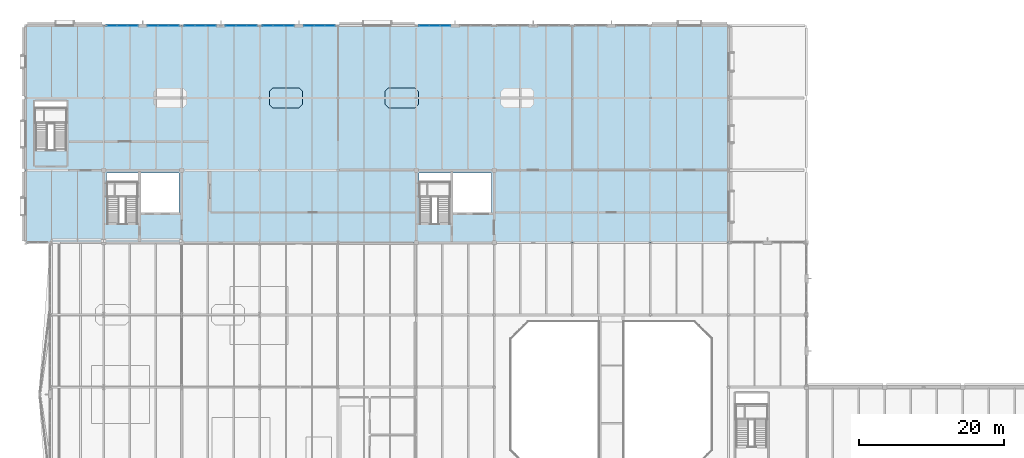
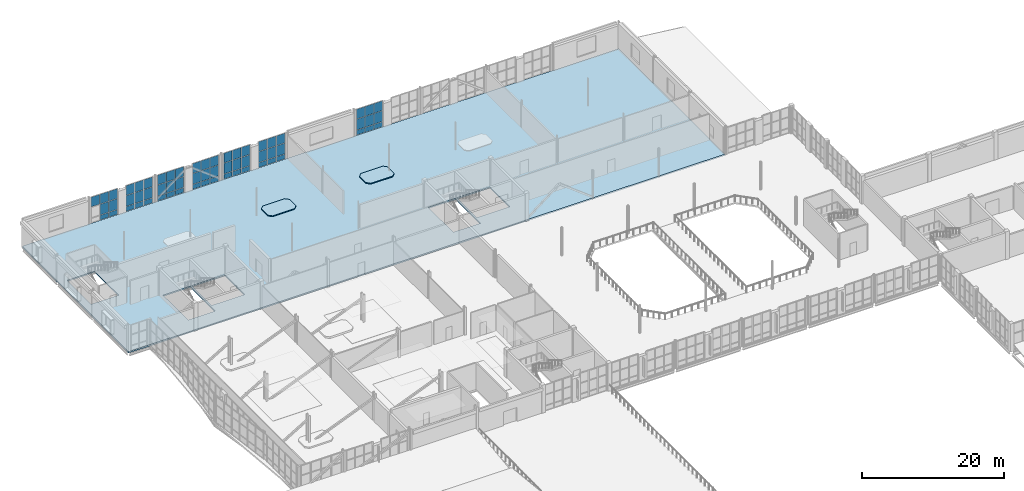
# One storey, part 68 of 100: 61 plates, 3 slabs, 7 elements without a shape of their own.
"""IFC4 building model written with IfcOpenShell, lengths in metres."""

import ifcopenshell
import ifcopenshell.guid

model = None  # the IFC model being written
_history = None  # IfcOwnerHistory: only IFC2X3 demands one
_inside = {}  # id of a spatial element -> (the spatial element, [elements in it])
_under = {}  # id of a project, library or spatial element -> (it, [spatial elements below it])
_declared = {}  # id of a project -> (the project, [libraries it declares])
_typed = {}  # id of a type object -> (the type object, [elements of that type])
_made_of = {}  # id of a material, layer set ... -> (it, [elements and type objects made of it])


def new_model(schema):
    """Start an empty IFC model of exactly this schema.

    Asked for "IFC4X3", IfcOpenShell would pick the latest addendum, in which some entities
    have other attributes; the version numbers below select the first issue.
    IFC2X3 requires an IfcOwnerHistory on every rooted entity: one is made here for all.
    """
    global model, _history
    if schema == "IFC4X3":
        model = ifcopenshell.file(schema_version=(4, 3, 0, 0))
    else:
        model = ifcopenshell.file(schema=schema)
    _inside.clear()
    _under.clear()
    _declared.clear()
    _typed.clear()
    _made_of.clear()
    _history = None
    if model.schema == "IFC2X3":
        org = make("IfcOrganization", Name="unknown")
        user = make(
            "IfcPersonAndOrganization",
            ThePerson=make("IfcPerson", FamilyName="unknown"),
            TheOrganization=org,
        )
        app = make(
            "IfcApplication",
            ApplicationDeveloper=org,
            Version="unknown",
            ApplicationFullName="unknown",
            ApplicationIdentifier="unknown",
        )
        _history = make(
            "IfcOwnerHistory",
            OwningUser=user,
            OwningApplication=app,
            ChangeAction="ADDED",
            CreationDate=0,
        )
    return model


def make(cls, **values):
    """One entity of the class cls with the attributes given. An attribute that is None is left unset."""
    return model.create_entity(
        cls, **{name: value for name, value in values.items() if value is not None}
    )


def rooted(cls, **values):
    """An entity with a GlobalId (a new one), such as an element, a storey or a relation."""
    return make(cls, GlobalId=ifcopenshell.guid.new(), OwnerHistory=_history, **values)


def si_unit(unit_type, name, prefix=None):
    """IfcSIUnit, for example si_unit("LENGTHUNIT", "METRE", prefix="MILLI")."""
    return make("IfcSIUnit", UnitType=unit_type, Prefix=prefix, Name=name)


def assignment(units):
    """IfcUnitAssignment: the units of a project."""
    return None if units is None else make("IfcUnitAssignment", Units=units)


def point(xyz):
    """IfcCartesianPoint."""
    return None if xyz is None else make("IfcCartesianPoint", Coordinates=xyz)


def direction(xyz):
    """IfcDirection."""
    return None if xyz is None else make("IfcDirection", DirectionRatios=xyz)


def frame(location, z_axis=None, x_axis=None):
    """IfcAxis2Placement3D, a coordinate frame: its origin and axes. An axis left out is left unset."""
    return make(
        "IfcAxis2Placement3D",
        Location=point(location),
        Axis=direction(z_axis),
        RefDirection=direction(x_axis),
    )


def frame_2d(location, x_axis=None):
    """IfcAxis2Placement2D, a coordinate frame in the plane: its origin and x axis."""
    return make(
        "IfcAxis2Placement2D", Location=point(location), RefDirection=direction(x_axis)
    )


def origin():
    """The frame at (0, 0, 0) with its axes left unset."""
    return frame((0.0, 0.0, 0.0))


def origin_2d():
    """The frame at (0, 0) in the plane with its x axis left unset."""
    return frame_2d((0.0, 0.0))


def place(relative_to, where):
    """IfcLocalPlacement: puts the frame where relative to a parent placement (None: the world)."""
    return make(
        "IfcLocalPlacement", PlacementRelTo=relative_to, RelativePlacement=where
    )


def context(
    kind, dimensions, precision=None, world=None, true_north=None, identifier=None
):
    """IfcGeometricRepresentationContext, for example the 3D "Model" context."""
    return make(
        "IfcGeometricRepresentationContext",
        ContextIdentifier=identifier,
        ContextType=kind,
        CoordinateSpaceDimension=dimensions,
        Precision=precision,
        WorldCoordinateSystem=world,
        TrueNorth=true_north,
    )


def subcontext(parent, identifier, kind, view, scale=None):
    """IfcGeometricRepresentationSubContext, for example "Body" below "Model"."""
    return make(
        "IfcGeometricRepresentationSubContext",
        ContextIdentifier=identifier,
        ContextType=kind,
        ParentContext=parent,
        TargetScale=scale,
        TargetView=view,
    )


def project(units=None, contexts=None):
    """IfcProject with its units and contexts."""
    return rooted(
        "IfcProject",
        Name="project",
        RepresentationContexts=contexts,
        UnitsInContext=assignment(units),
    )


def spatial(cls, under=None, at=None, **own):
    """A site, building, storey or space (cls), placed at a placement, below another one or the project."""
    s = rooted(cls, ObjectPlacement=at, **own)
    if under is not None:
        _under.setdefault(under.id(), (under, []))[1].append(s)
    return s


def polyline(points):
    """IfcPolyline through the points."""
    return make("IfcPolyline", Points=[point(p) for p in points])


def profile(cls, at=None, kind="AREA", **sizes):
    """A parametric profile (cls). Its sizes go by their IFC names, for example OverallWidth=200.0."""
    return make(cls, ProfileType=kind, Position=at, **sizes)


def rectangle(**sizes):
    """IfcRectangleProfileDef."""
    return profile("IfcRectangleProfileDef", **sizes)


def outline(outer, holes=None, kind="AREA"):
    """IfcArbitraryClosedProfileDef: a profile drawn as a closed curve; with holes, ...WithVoids."""
    if holes is None:
        return make("IfcArbitraryClosedProfileDef", ProfileType=kind, OuterCurve=outer)
    return make(
        "IfcArbitraryProfileDefWithVoids",
        ProfileType=kind,
        OuterCurve=outer,
        InnerCurves=holes,
    )


def extrude(swept, where, along, depth):
    """IfcExtrudedAreaSolid: the profile swept, set in the frame where, extruded along a direction by depth."""
    return make(
        "IfcExtrudedAreaSolid",
        SweptArea=swept,
        Position=where,
        ExtrudedDirection=direction(along),
        Depth=depth,
    )


def shape(context_of_items, identifier, shape_type, items):
    """IfcShapeRepresentation: the items that make up one representation, for example the "Body"."""
    return make(
        "IfcShapeRepresentation",
        ContextOfItems=context_of_items,
        RepresentationIdentifier=identifier,
        RepresentationType=shape_type,
        Items=items,
    )


def material(Name=None, Category=None):
    """IfcMaterial."""
    return make("IfcMaterial", Name=Name, Category=Category)


def layer(
    of_material, thickness, ventilated=None, Name=None, Category=None, Priority=None
):
    """IfcMaterialLayer: one layer of a wall or slab, of a material (None: an air gap)."""
    return make(
        "IfcMaterialLayer",
        Material=of_material,
        LayerThickness=thickness,
        IsVentilated=ventilated,
        Name=Name,
        Category=Category,
        Priority=Priority,
    )


def layer_set(layers, Name=None):
    """IfcMaterialLayerSet."""
    return make("IfcMaterialLayerSet", MaterialLayers=layers, LayerSetName=Name)


def made_of(thing, what):
    """Note that an element or type object is made of a material, layer set ...; save() writes the relation."""
    if what is not None:
        _made_of.setdefault(what.id(), (what, []))[1].append(thing)
    return thing


def type_object(cls, material=None, **own):
    """A type object (cls), such as IfcWallType, which elements share."""
    return made_of(rooted(cls, **own), material)


def element(
    cls,
    number,
    at=None,
    inside=None,
    cuts=None,
    type_object=None,
    material=None,
    context=None,
    identifier="Body",
    shape_type=None,
    held_by="IfcProductDefinitionShape",
    body=None,
    shapes=None,
    **own,
):
    """One element of the class cls, such as IfcWall. Its Tag is "e" and its number.

    at: its placement. inside: the storey or other place that contains it. cuts: it is an
    opening in that element (IfcRelVoidsElement). A single representation is given by context,
    identifier, shape_type and body (its items); several are given by shapes. held_by: the class
    of the entity that holds the representations. save() writes the other relations.
    """
    e = rooted(cls, Tag="e%d" % number, ObjectPlacement=at, **own)
    if body is not None:
        shapes = [shape(context, identifier, shape_type, body)]
    if shapes is not None:
        e.Representation = make(held_by, Representations=shapes)
    if inside is not None:
        _inside.setdefault(inside.id(), (inside, []))[1].append(e)
    if cuts is not None:
        rooted(
            "IfcRelVoidsElement", RelatingBuildingElement=cuts, RelatedOpeningElement=e
        )
    if type_object is not None:
        _typed.setdefault(type_object.id(), (type_object, []))[1].append(e)
    return made_of(e, material)


def aggregate(whole, parts):
    """IfcRelAggregates: a whole, such as a stair, and the parts it consists of."""
    return rooted("IfcRelAggregates", RelatingObject=whole, RelatedObjects=parts)


def save(model, path):
    """Write the relations noted so far, then the file.

    IfcRelAggregates (storeys below a building ...), IfcRelContainedInSpatialStructure (elements
    in a storey), IfcRelDefinesByType, IfcRelAssociatesMaterial and IfcRelDeclares: one each for
    every whole, place, type object, material and project.
    """
    for whole, parts in _under.values():
        aggregate(whole, parts)
    for where, things in _inside.values():
        rooted(
            "IfcRelContainedInSpatialStructure",
            RelatedElements=things,
            RelatingStructure=where,
        )
    for kind, things in _typed.values():
        rooted("IfcRelDefinesByType", RelatedObjects=things, RelatingType=kind)
    for what, things in _made_of.values():
        rooted("IfcRelAssociatesMaterial", RelatedObjects=things, RelatingMaterial=what)
    for by, libraries in _declared.values():
        rooted("IfcRelDeclares", RelatingContext=by, RelatedDefinitions=libraries)
    model.write(path)


model = new_model("IFC4")

# Units and contexts
model_context = context("Model", 3, precision=1e-05, world=origin(), true_north=direction((0.0, 1.0)))
body_context = subcontext(model_context, "Body", "Model", "MODEL_VIEW")
ifc_project = project(units=[si_unit("LENGTHUNIT", "METRE"), si_unit("AREAUNIT", "SQUARE_METRE"), si_unit("VOLUMEUNIT", "CUBIC_METRE"), si_unit("PLANEANGLEUNIT", "RADIAN"), si_unit("MASSUNIT", "GRAM", prefix="KILO")], contexts=[model_context])

# Site, building, storey
site_placement = place(None, origin())
site = spatial("IfcSite", under=ifc_project, at=site_placement, CompositionType="ELEMENT")
building_placement = place(site_placement, origin())
building = spatial("IfcBuilding", under=site, at=building_placement, Name="Tasgan Crest Museum", CompositionType="ELEMENT")
storey_placement = place(building_placement, frame((0.0, 0.0, 9.60009765625)))
storey = spatial("IfcBuildingStorey", under=building, at=storey_placement, Name="L02", CompositionType="ELEMENT", Elevation=9.60009765625)

# Curtain wall, plates
ifc_material_1 = material(Name="Triple-Glazed Aluminium Curtain Wall", Category="aluminium")
ifc_layer_1 = layer(ifc_material_1, 0.179931640625, Name="CW-CORE-STRIP-48")
ifc_layer_set_1 = layer_set([ifc_layer_1], Name="Triple-Glazed Aluminium Curtain Wall")
curtain_wall_type_1 = type_object("IfcCurtainWallType", Name="CW-CORE-STRIP-48", PredefinedType="NOTDEFINED", material=ifc_layer_set_1)
curtain_wall_1_placement = place(storey_placement, origin())
curtain_wall_1 = element("IfcCurtainWall", 1, at=curtain_wall_1_placement, inside=storey, type_object=curtain_wall_type_1, Name="Curtain wall L02 086", PredefinedType="NOTDEFINED")
ifc_material_2 = material(Name="Insulated Spandrel Glass", Category="glass")
ifc_layer_2 = layer(ifc_material_2, 0.052001953125, Name="CW-PANEL-SPANDREL")
ifc_layer_set_2 = layer_set([ifc_layer_2], Name="Insulated Spandrel Glass")
plate_type_1 = type_object("IfcPlateType", Name="CW-PANEL-SPANDREL", PredefinedType="CURTAIN_PANEL", material=ifc_layer_set_2)
plate_1_placement = place(storey_placement, frame((58.00830078125, 112.0, 0.059814453125), z_axis=(0.0, 0.0, 1.0), x_axis=(-1.0, 0.0, 0.0)))
plate_1 = element("IfcPlate", 2, at=plate_1_placement, type_object=plate_type_1, Name="CW19 panel 1.1", PredefinedType="CURTAIN_PANEL", context=body_context, shape_type="SweptSolid", body=[
    extrude(rectangle(XDim=1.373291015625, YDim=0.028076171875, at=origin_2d()), origin(), (0.0, 0.0, 1.0), 0.81005859375),
])
plate_2_placement = place(storey_placement, frame((56.56005859375, 112.0, 0.059814453125), z_axis=(0.0, 0.0, 1.0), x_axis=(-1.0, 0.0, 0.0)))
plate_2 = element("IfcPlate", 3, at=plate_2_placement, type_object=plate_type_1, Name="CW19 panel 2.1", PredefinedType="CURTAIN_PANEL", context=body_context, shape_type="SweptSolid", body=[
    extrude(rectangle(XDim=1.4033203125, YDim=0.028076171875, at=origin_2d()), origin(), (0.0, 0.0, 1.0), 0.81005859375),
])
plate_3_placement = place(storey_placement, frame((55.111572265625, 112.0, 0.059814453125), z_axis=(0.0, 0.0, 1.0), x_axis=(-1.0, 0.0, 0.0)))
plate_3 = element("IfcPlate", 4, at=plate_3_placement, type_object=plate_type_1, Name="CW19 panel 3.1", PredefinedType="CURTAIN_PANEL", context=body_context, shape_type="SweptSolid", body=[
    extrude(rectangle(XDim=1.373291015625, YDim=0.028076171875, at=origin_2d()), origin(), (0.0, 0.0, 1.0), 0.81005859375),
])

ifc_material_3 = material(Name="Triple-Glazed Aluminium Curtain Wall", Category="aluminium")
ifc_layer_3 = layer(ifc_material_3, 0.179931640625, Name="CW-GAL-X-48")
ifc_layer_set_3 = layer_set([ifc_layer_3], Name="Triple-Glazed Aluminium Curtain Wall")
curtain_wall_type_2 = type_object("IfcCurtainWallType", Name="CW-GAL-X-48", PredefinedType="NOTDEFINED", material=ifc_layer_set_3)
curtain_wall_2_placement = place(storey_placement, origin())
curtain_wall_2 = element("IfcCurtainWall", 5, at=curtain_wall_2_placement, inside=storey, type_object=curtain_wall_type_2, Name="Curtain wall L02 087", PredefinedType="NOTDEFINED")
plate_4_placement = place(storey_placement, frame((42.08837890625, 112.0, 0.059814453125), z_axis=(0.0, 0.0, 1.0), x_axis=(-1.0, 0.0, 0.0)))
plate_4 = element("IfcPlate", 6, at=plate_4_placement, type_object=plate_type_1, Name="CW13 panel 1.1", PredefinedType="CURTAIN_PANEL", context=body_context, shape_type="SweptSolid", body=[
    extrude(rectangle(XDim=1.373291015625, YDim=0.028076171875, at=origin_2d()), origin(), (0.0, 0.0, 1.0), 0.81005859375),
])
plate_5_placement = place(storey_placement, frame((40.639892578125, 112.0, 0.059814453125), z_axis=(0.0, 0.0, 1.0), x_axis=(-1.0, 0.0, 0.0)))
plate_5 = element("IfcPlate", 7, at=plate_5_placement, type_object=plate_type_1, Name="CW13 panel 2.1", PredefinedType="CURTAIN_PANEL", context=body_context, shape_type="SweptSolid", body=[
    extrude(rectangle(XDim=1.4033203125, YDim=0.028076171875, at=origin_2d()), origin(), (0.0, 0.0, 1.0), 0.81005859375),
])
plate_6_placement = place(storey_placement, frame((39.191650390625, 112.0, 0.059814453125), z_axis=(0.0, 0.0, 1.0), x_axis=(-1.0, 0.0, 0.0)))
plate_6 = element("IfcPlate", 8, at=plate_6_placement, type_object=plate_type_1, Name="CW13 panel 3.1", PredefinedType="CURTAIN_PANEL", context=body_context, shape_type="SweptSolid", body=[
    extrude(rectangle(XDim=1.373291015625, YDim=0.028076171875, at=origin_2d()), origin(), (0.0, 0.0, 1.0), 0.81005859375),
])

curtain_wall_3_placement = place(storey_placement, origin())
curtain_wall_3 = element("IfcCurtainWall", 9, at=curtain_wall_3_placement, inside=storey, type_object=curtain_wall_type_2, Name="Curtain wall L02 088", PredefinedType="NOTDEFINED")
plate_7_placement = place(storey_placement, frame((36.408447265625, 112.0, 0.059814453125), z_axis=(0.0, 0.0, 1.0), x_axis=(-1.0, 0.0, 0.0)))
plate_7 = element("IfcPlate", 10, at=plate_7_placement, type_object=plate_type_1, Name="CW13 panel 1.1", PredefinedType="CURTAIN_PANEL", context=body_context, shape_type="SweptSolid", body=[
    extrude(rectangle(XDim=1.373291015625, YDim=0.028076171875, at=origin_2d()), origin(), (0.0, 0.0, 1.0), 0.81005859375),
])
plate_8_placement = place(storey_placement, frame((34.9599609375, 112.0, 0.059814453125), z_axis=(0.0, 0.0, 1.0), x_axis=(-1.0, 0.0, 0.0)))
plate_8 = element("IfcPlate", 11, at=plate_8_placement, type_object=plate_type_1, Name="CW13 panel 2.1", PredefinedType="CURTAIN_PANEL", context=body_context, shape_type="SweptSolid", body=[
    extrude(rectangle(XDim=1.4033203125, YDim=0.028076171875, at=origin_2d()), origin(), (0.0, 0.0, 1.0), 0.81005859375),
])
plate_9_placement = place(storey_placement, frame((33.51171875, 112.0, 0.059814453125), z_axis=(0.0, 0.0, 1.0), x_axis=(-1.0, 0.0, 0.0)))
plate_9 = element("IfcPlate", 12, at=plate_9_placement, type_object=plate_type_1, Name="CW13 panel 3.1", PredefinedType="CURTAIN_PANEL", context=body_context, shape_type="SweptSolid", body=[
    extrude(rectangle(XDim=1.373291015625, YDim=0.028076171875, at=origin_2d()), origin(), (0.0, 0.0, 1.0), 0.81005859375),
])

curtain_wall_4_placement = place(storey_placement, origin())
curtain_wall_4 = element("IfcCurtainWall", 13, at=curtain_wall_4_placement, inside=storey, type_object=curtain_wall_type_2, Name="Curtain wall L02 089", PredefinedType="NOTDEFINED")
plate_10_placement = place(storey_placement, frame((31.288330078125, 112.0, 0.059814453125), z_axis=(0.0, 0.0, 1.0), x_axis=(-1.0, 0.0, 0.0)))
plate_10 = element("IfcPlate", 14, at=plate_10_placement, type_object=plate_type_1, Name="CW13 panel 1.1", PredefinedType="CURTAIN_PANEL", context=body_context, shape_type="SweptSolid", body=[
    extrude(rectangle(XDim=1.373291015625, YDim=0.028076171875, at=origin_2d()), origin(), (0.0, 0.0, 1.0), 0.81005859375),
])
plate_11_placement = place(storey_placement, frame((29.840087890625, 112.0, 0.059814453125), z_axis=(0.0, 0.0, 1.0), x_axis=(-1.0, 0.0, 0.0)))
plate_11 = element("IfcPlate", 15, at=plate_11_placement, type_object=plate_type_1, Name="CW13 panel 2.1", PredefinedType="CURTAIN_PANEL", context=body_context, shape_type="SweptSolid", body=[
    extrude(rectangle(XDim=1.4033203125, YDim=0.028076171875, at=origin_2d()), origin(), (0.0, 0.0, 1.0), 0.81005859375),
])
plate_12_placement = place(storey_placement, frame((28.3916015625, 112.0, 0.059814453125), z_axis=(0.0, 0.0, 1.0), x_axis=(-1.0, 0.0, 0.0)))
plate_12 = element("IfcPlate", 16, at=plate_12_placement, type_object=plate_type_1, Name="CW13 panel 3.1", PredefinedType="CURTAIN_PANEL", context=body_context, shape_type="SweptSolid", body=[
    extrude(rectangle(XDim=1.373291015625, YDim=0.028076171875, at=origin_2d()), origin(), (0.0, 0.0, 1.0), 0.81005859375),
])

curtain_wall_5_placement = place(storey_placement, origin())
curtain_wall_5 = element("IfcCurtainWall", 17, at=curtain_wall_5_placement, inside=storey, type_object=curtain_wall_type_2, Name="Curtain wall L02 090", PredefinedType="NOTDEFINED")
plate_13_placement = place(storey_placement, frame((25.6083984375, 112.0, 0.059814453125), z_axis=(0.0, 0.0, 1.0), x_axis=(-1.0, 0.0, 0.0)))
plate_13 = element("IfcPlate", 18, at=plate_13_placement, type_object=plate_type_1, Name="CW13 panel 1.1", PredefinedType="CURTAIN_PANEL", context=body_context, shape_type="SweptSolid", body=[
    extrude(rectangle(XDim=1.373291015625, YDim=0.028076171875, at=origin_2d()), origin(), (0.0, 0.0, 1.0), 0.81005859375),
])
plate_14_placement = place(storey_placement, frame((24.159912109375, 112.0, 0.059814453125), z_axis=(0.0, 0.0, 1.0), x_axis=(-1.0, 0.0, 0.0)))
plate_14 = element("IfcPlate", 19, at=plate_14_placement, type_object=plate_type_1, Name="CW13 panel 2.1", PredefinedType="CURTAIN_PANEL", context=body_context, shape_type="SweptSolid", body=[
    extrude(rectangle(XDim=1.4033203125, YDim=0.028076171875, at=origin_2d()), origin(), (0.0, 0.0, 1.0), 0.81005859375),
])
plate_15_placement = place(storey_placement, frame((22.711669921875, 112.0, 0.059814453125), z_axis=(0.0, 0.0, 1.0), x_axis=(-1.0, 0.0, 0.0)))
plate_15 = element("IfcPlate", 20, at=plate_15_placement, type_object=plate_type_1, Name="CW13 panel 3.1", PredefinedType="CURTAIN_PANEL", context=body_context, shape_type="SweptSolid", body=[
    extrude(rectangle(XDim=1.373291015625, YDim=0.028076171875, at=origin_2d()), origin(), (0.0, 0.0, 1.0), 0.81005859375),
])

curtain_wall_6_placement = place(storey_placement, origin())
curtain_wall_6 = element("IfcCurtainWall", 21, at=curtain_wall_6_placement, inside=storey, type_object=curtain_wall_type_1, Name="Curtain wall L02 091", PredefinedType="NOTDEFINED")
plate_16_placement = place(storey_placement, frame((20.48828125, 112.0, 0.059814453125), z_axis=(0.0, 0.0, 1.0), x_axis=(-1.0, 0.0, 0.0)))
plate_16 = element("IfcPlate", 22, at=plate_16_placement, type_object=plate_type_1, Name="CW19 panel 1.1", PredefinedType="CURTAIN_PANEL", context=body_context, shape_type="SweptSolid", body=[
    extrude(rectangle(XDim=1.373291015625, YDim=0.028076171875, at=origin_2d()), origin(), (0.0, 0.0, 1.0), 0.81005859375),
])
plate_17_placement = place(storey_placement, frame((19.0400390625, 112.0, 0.059814453125), z_axis=(0.0, 0.0, 1.0), x_axis=(-1.0, 0.0, 0.0)))
plate_17 = element("IfcPlate", 23, at=plate_17_placement, type_object=plate_type_1, Name="CW19 panel 2.1", PredefinedType="CURTAIN_PANEL", context=body_context, shape_type="SweptSolid", body=[
    extrude(rectangle(XDim=1.4033203125, YDim=0.028076171875, at=origin_2d()), origin(), (0.0, 0.0, 1.0), 0.81005859375),
])
plate_18_placement = place(storey_placement, frame((17.591552734375, 112.0, 0.059814453125), z_axis=(0.0, 0.0, 1.0), x_axis=(-1.0, 0.0, 0.0)))
plate_18 = element("IfcPlate", 24, at=plate_18_placement, type_object=plate_type_1, Name="CW19 panel 3.1", PredefinedType="CURTAIN_PANEL", context=body_context, shape_type="SweptSolid", body=[
    extrude(rectangle(XDim=1.373291015625, YDim=0.028076171875, at=origin_2d()), origin(), (0.0, 0.0, 1.0), 0.81005859375),
])

curtain_wall_7_placement = place(storey_placement, origin())
curtain_wall_7 = element("IfcCurtainWall", 25, at=curtain_wall_7_placement, inside=storey, type_object=curtain_wall_type_1, Name="Curtain wall L02 092", PredefinedType="NOTDEFINED")
plate_19_placement = place(storey_placement, frame((14.808349609375, 112.0, 0.059814453125), z_axis=(0.0, 0.0, 1.0), x_axis=(-1.0, 0.0, 0.0)))
plate_19 = element("IfcPlate", 26, at=plate_19_placement, type_object=plate_type_1, Name="CW19 panel 1.1", PredefinedType="CURTAIN_PANEL", context=body_context, shape_type="SweptSolid", body=[
    extrude(rectangle(XDim=1.373291015625, YDim=0.028076171875, at=origin_2d()), origin(), (0.0, 0.0, 1.0), 0.81005859375),
])
plate_20_placement = place(storey_placement, frame((13.360107421875, 112.0, 0.059814453125), z_axis=(0.0, 0.0, 1.0), x_axis=(-1.0, 0.0, 0.0)))
plate_20 = element("IfcPlate", 27, at=plate_20_placement, type_object=plate_type_1, Name="CW19 panel 2.1", PredefinedType="CURTAIN_PANEL", context=body_context, shape_type="SweptSolid", body=[
    extrude(rectangle(XDim=1.4033203125, YDim=0.028076171875, at=origin_2d()), origin(), (0.0, 0.0, 1.0), 0.81005859375),
])

# Plate
ifc_material_4 = material(Name="Low-E Triple Glazing", Category="glass")
ifc_layer_4 = layer(ifc_material_4, 0.0439453125, Name="CW-PANEL-TRIPLE")
ifc_layer_set_4 = layer_set([ifc_layer_4], Name="Low-E Triple Glazing")
plate_type_2 = type_object("IfcPlateType", Name="CW-PANEL-TRIPLE", PredefinedType="CURTAIN_PANEL", material=ifc_layer_set_4)
plate_21_placement = place(storey_placement, frame((58.00830078125, 112.0, 0.9296875), z_axis=(0.0, 0.0, 1.0), x_axis=(-1.0, 0.0, 0.0)))
plate_21 = element("IfcPlate", 28, at=plate_21_placement, type_object=plate_type_2, Name="CW19 panel 1.2", PredefinedType="CURTAIN_PANEL", context=body_context, shape_type="SweptSolid", body=[
    extrude(rectangle(XDim=1.373291015625, YDim=0.028076171875, at=origin_2d()), origin(), (0.0, 0.0, 1.0), 1.840087890625),
])

plate_22_placement = place(storey_placement, frame((58.00830078125, 112.0, 2.829833984375), z_axis=(0.0, 0.0, 1.0), x_axis=(-1.0, 0.0, 0.0)))
plate_22 = element("IfcPlate", 29, at=plate_22_placement, type_object=plate_type_2, Name="CW19 panel 1.3", PredefinedType="CURTAIN_PANEL", context=body_context, shape_type="SweptSolid", body=[
    extrude(rectangle(XDim=1.373291015625, YDim=0.028076171875, at=origin_2d()), origin(), (0.0, 0.0, 1.0), 1.669921875),
])

plate_23_placement = place(storey_placement, frame((56.56005859375, 112.0, 0.9296875), z_axis=(0.0, 0.0, 1.0), x_axis=(-1.0, 0.0, 0.0)))
plate_23 = element("IfcPlate", 30, at=plate_23_placement, type_object=plate_type_2, Name="CW19 panel 2.2", PredefinedType="CURTAIN_PANEL", context=body_context, shape_type="SweptSolid", body=[
    extrude(rectangle(XDim=1.4033203125, YDim=0.028076171875, at=origin_2d()), origin(), (0.0, 0.0, 1.0), 1.840087890625),
])

plate_24_placement = place(storey_placement, frame((56.56005859375, 112.0, 2.829833984375), z_axis=(0.0, 0.0, 1.0), x_axis=(-1.0, 0.0, 0.0)))
plate_24 = element("IfcPlate", 31, at=plate_24_placement, type_object=plate_type_2, Name="CW19 panel 2.3", PredefinedType="CURTAIN_PANEL", context=body_context, shape_type="SweptSolid", body=[
    extrude(rectangle(XDim=1.4033203125, YDim=0.028076171875, at=origin_2d()), origin(), (0.0, 0.0, 1.0), 1.669921875),
])

plate_25_placement = place(storey_placement, frame((55.111572265625, 112.0, 0.9296875), z_axis=(0.0, 0.0, 1.0), x_axis=(-1.0, 0.0, 0.0)))
plate_25 = element("IfcPlate", 32, at=plate_25_placement, type_object=plate_type_2, Name="CW19 panel 3.2", PredefinedType="CURTAIN_PANEL", context=body_context, shape_type="SweptSolid", body=[
    extrude(rectangle(XDim=1.373291015625, YDim=0.028076171875, at=origin_2d()), origin(), (0.0, 0.0, 1.0), 1.840087890625),
])

plate_26_placement = place(storey_placement, frame((55.111572265625, 112.0, 2.829833984375), z_axis=(0.0, 0.0, 1.0), x_axis=(-1.0, 0.0, 0.0)))
plate_26 = element("IfcPlate", 33, at=plate_26_placement, type_object=plate_type_2, Name="CW19 panel 3.3", PredefinedType="CURTAIN_PANEL", context=body_context, shape_type="SweptSolid", body=[
    extrude(rectangle(XDim=1.373291015625, YDim=0.028076171875, at=origin_2d()), origin(), (0.0, 0.0, 1.0), 1.669921875),
])

aggregate(curtain_wall_1, [plate_1, plate_21, plate_22, plate_2, plate_23, plate_24, plate_3, plate_25, plate_26])

plate_27_placement = place(storey_placement, frame((42.08837890625, 112.0, 0.9296875), z_axis=(0.0, 0.0, 1.0), x_axis=(-1.0, 0.0, 0.0)))
plate_27 = element("IfcPlate", 34, at=plate_27_placement, type_object=plate_type_2, Name="CW13 panel 1.2", PredefinedType="CURTAIN_PANEL", context=body_context, shape_type="SweptSolid", body=[
    extrude(rectangle(XDim=1.373291015625, YDim=0.028076171875, at=origin_2d()), origin(), (0.0, 0.0, 1.0), 1.840087890625),
])

plate_28_placement = place(storey_placement, frame((42.08837890625, 112.0, 2.829833984375), z_axis=(0.0, 0.0, 1.0), x_axis=(-1.0, 0.0, 0.0)))
plate_28 = element("IfcPlate", 35, at=plate_28_placement, type_object=plate_type_2, Name="CW13 panel 1.3", PredefinedType="CURTAIN_PANEL", context=body_context, shape_type="SweptSolid", body=[
    extrude(rectangle(XDim=1.373291015625, YDim=0.028076171875, at=origin_2d()), origin(), (0.0, 0.0, 1.0), 1.669921875),
])

plate_29_placement = place(storey_placement, frame((40.639892578125, 112.0, 0.9296875), z_axis=(0.0, 0.0, 1.0), x_axis=(-1.0, 0.0, 0.0)))
plate_29 = element("IfcPlate", 36, at=plate_29_placement, type_object=plate_type_2, Name="CW13 panel 2.2", PredefinedType="CURTAIN_PANEL", context=body_context, shape_type="SweptSolid", body=[
    extrude(rectangle(XDim=1.4033203125, YDim=0.028076171875, at=origin_2d()), origin(), (0.0, 0.0, 1.0), 1.840087890625),
])

plate_30_placement = place(storey_placement, frame((40.639892578125, 112.0, 2.829833984375), z_axis=(0.0, 0.0, 1.0), x_axis=(-1.0, 0.0, 0.0)))
plate_30 = element("IfcPlate", 37, at=plate_30_placement, type_object=plate_type_2, Name="CW13 panel 2.3", PredefinedType="CURTAIN_PANEL", context=body_context, shape_type="SweptSolid", body=[
    extrude(rectangle(XDim=1.4033203125, YDim=0.028076171875, at=origin_2d()), origin(), (0.0, 0.0, 1.0), 1.669921875),
])

plate_31_placement = place(storey_placement, frame((39.191650390625, 112.0, 0.9296875), z_axis=(0.0, 0.0, 1.0), x_axis=(-1.0, 0.0, 0.0)))
plate_31 = element("IfcPlate", 38, at=plate_31_placement, type_object=plate_type_2, Name="CW13 panel 3.2", PredefinedType="CURTAIN_PANEL", context=body_context, shape_type="SweptSolid", body=[
    extrude(rectangle(XDim=1.373291015625, YDim=0.028076171875, at=origin_2d()), origin(), (0.0, 0.0, 1.0), 1.840087890625),
])

plate_32_placement = place(storey_placement, frame((39.191650390625, 112.0, 2.829833984375), z_axis=(0.0, 0.0, 1.0), x_axis=(-1.0, 0.0, 0.0)))
plate_32 = element("IfcPlate", 39, at=plate_32_placement, type_object=plate_type_2, Name="CW13 panel 3.3", PredefinedType="CURTAIN_PANEL", context=body_context, shape_type="SweptSolid", body=[
    extrude(rectangle(XDim=1.373291015625, YDim=0.028076171875, at=origin_2d()), origin(), (0.0, 0.0, 1.0), 1.669921875),
])

aggregate(curtain_wall_2, [plate_4, plate_27, plate_28, plate_5, plate_29, plate_30, plate_6, plate_31, plate_32])

plate_33_placement = place(storey_placement, frame((36.408447265625, 112.0, 0.9296875), z_axis=(0.0, 0.0, 1.0), x_axis=(-1.0, 0.0, 0.0)))
plate_33 = element("IfcPlate", 40, at=plate_33_placement, type_object=plate_type_2, Name="CW13 panel 1.2", PredefinedType="CURTAIN_PANEL", context=body_context, shape_type="SweptSolid", body=[
    extrude(rectangle(XDim=1.373291015625, YDim=0.028076171875, at=origin_2d()), origin(), (0.0, 0.0, 1.0), 1.840087890625),
])

plate_34_placement = place(storey_placement, frame((36.408447265625, 112.0, 2.829833984375), z_axis=(0.0, 0.0, 1.0), x_axis=(-1.0, 0.0, 0.0)))
plate_34 = element("IfcPlate", 41, at=plate_34_placement, type_object=plate_type_2, Name="CW13 panel 1.3", PredefinedType="CURTAIN_PANEL", context=body_context, shape_type="SweptSolid", body=[
    extrude(rectangle(XDim=1.373291015625, YDim=0.028076171875, at=origin_2d()), origin(), (0.0, 0.0, 1.0), 1.669921875),
])

plate_35_placement = place(storey_placement, frame((34.9599609375, 112.0, 0.9296875), z_axis=(0.0, 0.0, 1.0), x_axis=(-1.0, 0.0, 0.0)))
plate_35 = element("IfcPlate", 42, at=plate_35_placement, type_object=plate_type_2, Name="CW13 panel 2.2", PredefinedType="CURTAIN_PANEL", context=body_context, shape_type="SweptSolid", body=[
    extrude(rectangle(XDim=1.4033203125, YDim=0.028076171875, at=origin_2d()), origin(), (0.0, 0.0, 1.0), 1.840087890625),
])

plate_36_placement = place(storey_placement, frame((34.9599609375, 112.0, 2.829833984375), z_axis=(0.0, 0.0, 1.0), x_axis=(-1.0, 0.0, 0.0)))
plate_36 = element("IfcPlate", 43, at=plate_36_placement, type_object=plate_type_2, Name="CW13 panel 2.3", PredefinedType="CURTAIN_PANEL", context=body_context, shape_type="SweptSolid", body=[
    extrude(rectangle(XDim=1.4033203125, YDim=0.028076171875, at=origin_2d()), origin(), (0.0, 0.0, 1.0), 1.669921875),
])

plate_37_placement = place(storey_placement, frame((33.51171875, 112.0, 0.9296875), z_axis=(0.0, 0.0, 1.0), x_axis=(-1.0, 0.0, 0.0)))
plate_37 = element("IfcPlate", 44, at=plate_37_placement, type_object=plate_type_2, Name="CW13 panel 3.2", PredefinedType="CURTAIN_PANEL", context=body_context, shape_type="SweptSolid", body=[
    extrude(rectangle(XDim=1.373291015625, YDim=0.028076171875, at=origin_2d()), origin(), (0.0, 0.0, 1.0), 1.840087890625),
])

plate_38_placement = place(storey_placement, frame((33.51171875, 112.0, 2.829833984375), z_axis=(0.0, 0.0, 1.0), x_axis=(-1.0, 0.0, 0.0)))
plate_38 = element("IfcPlate", 45, at=plate_38_placement, type_object=plate_type_2, Name="CW13 panel 3.3", PredefinedType="CURTAIN_PANEL", context=body_context, shape_type="SweptSolid", body=[
    extrude(rectangle(XDim=1.373291015625, YDim=0.028076171875, at=origin_2d()), origin(), (0.0, 0.0, 1.0), 1.669921875),
])

aggregate(curtain_wall_3, [plate_7, plate_33, plate_34, plate_8, plate_35, plate_36, plate_9, plate_37, plate_38])

plate_39_placement = place(storey_placement, frame((31.288330078125, 112.0, 0.9296875), z_axis=(0.0, 0.0, 1.0), x_axis=(-1.0, 0.0, 0.0)))
plate_39 = element("IfcPlate", 46, at=plate_39_placement, type_object=plate_type_2, Name="CW13 panel 1.2", PredefinedType="CURTAIN_PANEL", context=body_context, shape_type="SweptSolid", body=[
    extrude(rectangle(XDim=1.373291015625, YDim=0.028076171875, at=origin_2d()), origin(), (0.0, 0.0, 1.0), 1.840087890625),
])

plate_40_placement = place(storey_placement, frame((31.288330078125, 112.0, 2.829833984375), z_axis=(0.0, 0.0, 1.0), x_axis=(-1.0, 0.0, 0.0)))
plate_40 = element("IfcPlate", 47, at=plate_40_placement, type_object=plate_type_2, Name="CW13 panel 1.3", PredefinedType="CURTAIN_PANEL", context=body_context, shape_type="SweptSolid", body=[
    extrude(rectangle(XDim=1.373291015625, YDim=0.028076171875, at=origin_2d()), origin(), (0.0, 0.0, 1.0), 1.669921875),
])

plate_41_placement = place(storey_placement, frame((29.840087890625, 112.0, 0.9296875), z_axis=(0.0, 0.0, 1.0), x_axis=(-1.0, 0.0, 0.0)))
plate_41 = element("IfcPlate", 48, at=plate_41_placement, type_object=plate_type_2, Name="CW13 panel 2.2", PredefinedType="CURTAIN_PANEL", context=body_context, shape_type="SweptSolid", body=[
    extrude(rectangle(XDim=1.4033203125, YDim=0.028076171875, at=origin_2d()), origin(), (0.0, 0.0, 1.0), 1.840087890625),
])

plate_42_placement = place(storey_placement, frame((29.840087890625, 112.0, 2.829833984375), z_axis=(0.0, 0.0, 1.0), x_axis=(-1.0, 0.0, 0.0)))
plate_42 = element("IfcPlate", 49, at=plate_42_placement, type_object=plate_type_2, Name="CW13 panel 2.3", PredefinedType="CURTAIN_PANEL", context=body_context, shape_type="SweptSolid", body=[
    extrude(rectangle(XDim=1.4033203125, YDim=0.028076171875, at=origin_2d()), origin(), (0.0, 0.0, 1.0), 1.669921875),
])

plate_43_placement = place(storey_placement, frame((28.3916015625, 112.0, 0.9296875), z_axis=(0.0, 0.0, 1.0), x_axis=(-1.0, 0.0, 0.0)))
plate_43 = element("IfcPlate", 50, at=plate_43_placement, type_object=plate_type_2, Name="CW13 panel 3.2", PredefinedType="CURTAIN_PANEL", context=body_context, shape_type="SweptSolid", body=[
    extrude(rectangle(XDim=1.373291015625, YDim=0.028076171875, at=origin_2d()), origin(), (0.0, 0.0, 1.0), 1.840087890625),
])

plate_44_placement = place(storey_placement, frame((28.3916015625, 112.0, 2.829833984375), z_axis=(0.0, 0.0, 1.0), x_axis=(-1.0, 0.0, 0.0)))
plate_44 = element("IfcPlate", 51, at=plate_44_placement, type_object=plate_type_2, Name="CW13 panel 3.3", PredefinedType="CURTAIN_PANEL", context=body_context, shape_type="SweptSolid", body=[
    extrude(rectangle(XDim=1.373291015625, YDim=0.028076171875, at=origin_2d()), origin(), (0.0, 0.0, 1.0), 1.669921875),
])

aggregate(curtain_wall_4, [plate_10, plate_39, plate_40, plate_11, plate_41, plate_42, plate_12, plate_43, plate_44])

plate_45_placement = place(storey_placement, frame((25.6083984375, 112.0, 0.9296875), z_axis=(0.0, 0.0, 1.0), x_axis=(-1.0, 0.0, 0.0)))
plate_45 = element("IfcPlate", 52, at=plate_45_placement, type_object=plate_type_2, Name="CW13 panel 1.2", PredefinedType="CURTAIN_PANEL", context=body_context, shape_type="SweptSolid", body=[
    extrude(rectangle(XDim=1.373291015625, YDim=0.028076171875, at=origin_2d()), origin(), (0.0, 0.0, 1.0), 1.840087890625),
])

plate_46_placement = place(storey_placement, frame((25.6083984375, 112.0, 2.829833984375), z_axis=(0.0, 0.0, 1.0), x_axis=(-1.0, 0.0, 0.0)))
plate_46 = element("IfcPlate", 53, at=plate_46_placement, type_object=plate_type_2, Name="CW13 panel 1.3", PredefinedType="CURTAIN_PANEL", context=body_context, shape_type="SweptSolid", body=[
    extrude(rectangle(XDim=1.373291015625, YDim=0.028076171875, at=origin_2d()), origin(), (0.0, 0.0, 1.0), 1.669921875),
])

plate_47_placement = place(storey_placement, frame((24.159912109375, 112.0, 0.9296875), z_axis=(0.0, 0.0, 1.0), x_axis=(-1.0, 0.0, 0.0)))
plate_47 = element("IfcPlate", 54, at=plate_47_placement, type_object=plate_type_2, Name="CW13 panel 2.2", PredefinedType="CURTAIN_PANEL", context=body_context, shape_type="SweptSolid", body=[
    extrude(rectangle(XDim=1.4033203125, YDim=0.028076171875, at=origin_2d()), origin(), (0.0, 0.0, 1.0), 1.840087890625),
])

plate_48_placement = place(storey_placement, frame((24.159912109375, 112.0, 2.829833984375), z_axis=(0.0, 0.0, 1.0), x_axis=(-1.0, 0.0, 0.0)))
plate_48 = element("IfcPlate", 55, at=plate_48_placement, type_object=plate_type_2, Name="CW13 panel 2.3", PredefinedType="CURTAIN_PANEL", context=body_context, shape_type="SweptSolid", body=[
    extrude(rectangle(XDim=1.4033203125, YDim=0.028076171875, at=origin_2d()), origin(), (0.0, 0.0, 1.0), 1.669921875),
])

plate_49_placement = place(storey_placement, frame((22.711669921875, 112.0, 0.9296875), z_axis=(0.0, 0.0, 1.0), x_axis=(-1.0, 0.0, 0.0)))
plate_49 = element("IfcPlate", 56, at=plate_49_placement, type_object=plate_type_2, Name="CW13 panel 3.2", PredefinedType="CURTAIN_PANEL", context=body_context, shape_type="SweptSolid", body=[
    extrude(rectangle(XDim=1.373291015625, YDim=0.028076171875, at=origin_2d()), origin(), (0.0, 0.0, 1.0), 1.840087890625),
])

plate_50_placement = place(storey_placement, frame((22.711669921875, 112.0, 2.829833984375), z_axis=(0.0, 0.0, 1.0), x_axis=(-1.0, 0.0, 0.0)))
plate_50 = element("IfcPlate", 57, at=plate_50_placement, type_object=plate_type_2, Name="CW13 panel 3.3", PredefinedType="CURTAIN_PANEL", context=body_context, shape_type="SweptSolid", body=[
    extrude(rectangle(XDim=1.373291015625, YDim=0.028076171875, at=origin_2d()), origin(), (0.0, 0.0, 1.0), 1.669921875),
])

aggregate(curtain_wall_5, [plate_13, plate_45, plate_46, plate_14, plate_47, plate_48, plate_15, plate_49, plate_50])

plate_51_placement = place(storey_placement, frame((20.48828125, 112.0, 0.9296875), z_axis=(0.0, 0.0, 1.0), x_axis=(-1.0, 0.0, 0.0)))
plate_51 = element("IfcPlate", 58, at=plate_51_placement, type_object=plate_type_2, Name="CW19 panel 1.2", PredefinedType="CURTAIN_PANEL", context=body_context, shape_type="SweptSolid", body=[
    extrude(rectangle(XDim=1.373291015625, YDim=0.028076171875, at=origin_2d()), origin(), (0.0, 0.0, 1.0), 1.840087890625),
])

plate_52_placement = place(storey_placement, frame((20.48828125, 112.0, 2.829833984375), z_axis=(0.0, 0.0, 1.0), x_axis=(-1.0, 0.0, 0.0)))
plate_52 = element("IfcPlate", 59, at=plate_52_placement, type_object=plate_type_2, Name="CW19 panel 1.3", PredefinedType="CURTAIN_PANEL", context=body_context, shape_type="SweptSolid", body=[
    extrude(rectangle(XDim=1.373291015625, YDim=0.028076171875, at=origin_2d()), origin(), (0.0, 0.0, 1.0), 1.669921875),
])

plate_53_placement = place(storey_placement, frame((19.0400390625, 112.0, 0.9296875), z_axis=(0.0, 0.0, 1.0), x_axis=(-1.0, 0.0, 0.0)))
plate_53 = element("IfcPlate", 60, at=plate_53_placement, type_object=plate_type_2, Name="CW19 panel 2.2", PredefinedType="CURTAIN_PANEL", context=body_context, shape_type="SweptSolid", body=[
    extrude(rectangle(XDim=1.4033203125, YDim=0.028076171875, at=origin_2d()), origin(), (0.0, 0.0, 1.0), 1.840087890625),
])

plate_54_placement = place(storey_placement, frame((19.0400390625, 112.0, 2.829833984375), z_axis=(0.0, 0.0, 1.0), x_axis=(-1.0, 0.0, 0.0)))
plate_54 = element("IfcPlate", 61, at=plate_54_placement, type_object=plate_type_2, Name="CW19 panel 2.3", PredefinedType="CURTAIN_PANEL", context=body_context, shape_type="SweptSolid", body=[
    extrude(rectangle(XDim=1.4033203125, YDim=0.028076171875, at=origin_2d()), origin(), (0.0, 0.0, 1.0), 1.669921875),
])

plate_55_placement = place(storey_placement, frame((17.591552734375, 112.0, 0.9296875), z_axis=(0.0, 0.0, 1.0), x_axis=(-1.0, 0.0, 0.0)))
plate_55 = element("IfcPlate", 62, at=plate_55_placement, type_object=plate_type_2, Name="CW19 panel 3.2", PredefinedType="CURTAIN_PANEL", context=body_context, shape_type="SweptSolid", body=[
    extrude(rectangle(XDim=1.373291015625, YDim=0.028076171875, at=origin_2d()), origin(), (0.0, 0.0, 1.0), 1.840087890625),
])

plate_56_placement = place(storey_placement, frame((17.591552734375, 112.0, 2.829833984375), z_axis=(0.0, 0.0, 1.0), x_axis=(-1.0, 0.0, 0.0)))
plate_56 = element("IfcPlate", 63, at=plate_56_placement, type_object=plate_type_2, Name="CW19 panel 3.3", PredefinedType="CURTAIN_PANEL", context=body_context, shape_type="SweptSolid", body=[
    extrude(rectangle(XDim=1.373291015625, YDim=0.028076171875, at=origin_2d()), origin(), (0.0, 0.0, 1.0), 1.669921875),
])

aggregate(curtain_wall_6, [plate_16, plate_51, plate_52, plate_17, plate_53, plate_54, plate_18, plate_55, plate_56])

plate_57_placement = place(storey_placement, frame((14.808349609375, 112.0, 0.9296875), z_axis=(0.0, 0.0, 1.0), x_axis=(-1.0, 0.0, 0.0)))
plate_57 = element("IfcPlate", 64, at=plate_57_placement, type_object=plate_type_2, Name="CW19 panel 1.2", PredefinedType="CURTAIN_PANEL", context=body_context, shape_type="SweptSolid", body=[
    extrude(rectangle(XDim=1.373291015625, YDim=0.028076171875, at=origin_2d()), origin(), (0.0, 0.0, 1.0), 1.840087890625),
])

plate_58_placement = place(storey_placement, frame((14.808349609375, 112.0, 2.829833984375), z_axis=(0.0, 0.0, 1.0), x_axis=(-1.0, 0.0, 0.0)))
plate_58 = element("IfcPlate", 65, at=plate_58_placement, type_object=plate_type_2, Name="CW19 panel 1.3", PredefinedType="CURTAIN_PANEL", context=body_context, shape_type="SweptSolid", body=[
    extrude(rectangle(XDim=1.373291015625, YDim=0.028076171875, at=origin_2d()), origin(), (0.0, 0.0, 1.0), 1.669921875),
])

plate_59_placement = place(storey_placement, frame((13.360107421875, 112.0, 0.9296875), z_axis=(0.0, 0.0, 1.0), x_axis=(-1.0, 0.0, 0.0)))
plate_59 = element("IfcPlate", 66, at=plate_59_placement, type_object=plate_type_2, Name="CW19 panel 2.2", PredefinedType="CURTAIN_PANEL", context=body_context, shape_type="SweptSolid", body=[
    extrude(rectangle(XDim=1.4033203125, YDim=0.028076171875, at=origin_2d()), origin(), (0.0, 0.0, 1.0), 1.840087890625),
])

plate_60_placement = place(storey_placement, frame((13.360107421875, 112.0, 2.829833984375), z_axis=(0.0, 0.0, 1.0), x_axis=(-1.0, 0.0, 0.0)))
plate_60 = element("IfcPlate", 67, at=plate_60_placement, type_object=plate_type_2, Name="CW19 panel 2.3", PredefinedType="CURTAIN_PANEL", context=body_context, shape_type="SweptSolid", body=[
    extrude(rectangle(XDim=1.4033203125, YDim=0.028076171875, at=origin_2d()), origin(), (0.0, 0.0, 1.0), 1.669921875),
])

plate_61_placement = place(storey_placement, frame((11.91162109375, 112.0, 2.829833984375), z_axis=(0.0, 0.0, 1.0), x_axis=(-1.0, 0.0, 0.0)))
plate_61 = element("IfcPlate", 68, at=plate_61_placement, type_object=plate_type_2, Name="CW19 panel 3.3", PredefinedType="CURTAIN_PANEL", context=body_context, shape_type="SweptSolid", body=[
    extrude(rectangle(XDim=1.373291015625, YDim=0.028076171875, at=origin_2d()), origin(), (0.0, 0.0, 1.0), 1.669921875),
])

aggregate(curtain_wall_7, [plate_19, plate_57, plate_58, plate_20, plate_59, plate_60, plate_61])

# Slabs
ifc_material_5 = material(Name="Concrete C35/45", Category="concrete")
ifc_layer_5 = layer(ifc_material_5, 0.14990234375, Name="SL-DAIS-T02")
ifc_layer_set_5 = layer_set([ifc_layer_5], Name="Concrete C35/45")
slab_type_1 = type_object("IfcSlabType", Name="SL-DAIS-T02", PredefinedType="FLOOR", material=ifc_layer_set_5)
slab_1_placement = place(storey_placement, origin())
element("IfcSlab", 69, at=slab_1_placement, inside=storey, type_object=slab_type_1, Name="Exhibition specimen dais L02-22", PredefinedType="FLOOR", context=body_context, shape_type="SweptSolid", body=[
    extrude(outline(polyline([(34.199951171875, 100.60009765625), (37.800048828125, 100.60009765625), (38.300048828125, 101.10009765625), (38.300048828125, 102.89990234375), (37.800048828125, 103.39990234375), (34.199951171875, 103.39990234375), (33.699951171875, 102.89990234375), (33.699951171875, 101.10009765625), (34.199951171875, 100.60009765625)])), origin(), (0.0, 0.0, 1.0), 0.14990234375),
])
ifc_material_6 = material(Name="Concrete C35/45", Category="concrete")
ifc_layer_6 = layer(ifc_material_6, 0.159912109375, Name="SL-DAIS-T03")
ifc_layer_set_6 = layer_set([ifc_layer_6], Name="Concrete C35/45")
slab_type_2 = type_object("IfcSlabType", Name="SL-DAIS-T03", PredefinedType="FLOOR", material=ifc_layer_set_6)
slab_2_placement = place(storey_placement, origin())
element("IfcSlab", 70, at=slab_2_placement, inside=storey, type_object=slab_type_2, Name="Exhibition specimen dais L02-23", PredefinedType="FLOOR", context=body_context, shape_type="SweptSolid", body=[
    extrude(outline(polyline([(50.199951171875, 100.60009765625), (53.800048828125, 100.60009765625), (54.300048828125, 101.10009765625), (54.300048828125, 102.89990234375), (53.800048828125, 103.39990234375), (50.199951171875, 103.39990234375), (49.699951171875, 102.89990234375), (49.699951171875, 101.10009765625), (50.199951171875, 100.60009765625)])), origin(), (0.0, 0.0, 1.0), 0.159912109375),
])
ifc_material_7 = material(Name="Concrete C35/45", Category="concrete")
ifc_layer_7 = layer(ifc_material_7, 0.239990234375, Name="SL-FLR-240")
ifc_layer_set_7 = layer_set([ifc_layer_7], Name="Concrete C35/45")
slab_type_3 = type_object("IfcSlabType", Name="SL-FLR-240", PredefinedType="FLOOR", material=ifc_layer_set_7)
slab_3_placement = place(storey_placement, frame((0.0, 0.0, -0.239990234375)))
element("IfcSlab", 71, at=slab_3_placement, inside=storey, type_object=slab_type_3, Name="Floor slab L02 V5", PredefinedType="FLOOR", context=body_context, shape_type="SweptSolid", body=[
    extrude(outline(polyline([(0.0, 82.0), (97.199951171875, 82.0), (97.199951171875, 112.0), (0.0, 112.0), (0.0, 82.0)]), holes=[polyline([(11.179931640625, 84.550048828125), (15.60009765625, 84.550048828125), (15.60009765625, 91.6201171875), (11.179931640625, 91.6201171875), (11.179931640625, 84.550048828125)]), polyline([(15.85009765625, 86.0), (21.219970703125, 86.0), (21.219970703125, 91.6201171875), (15.85009765625, 91.6201171875), (15.85009765625, 86.0)]), polyline([(54.3798828125, 84.550048828125), (58.800048828125, 84.550048828125), (58.800048828125, 91.6201171875), (54.3798828125, 91.6201171875), (54.3798828125, 84.550048828125)]), polyline([(59.050048828125, 86.0), (64.419921875, 86.0), (64.419921875, 91.6201171875), (59.050048828125, 91.6201171875), (59.050048828125, 86.0)]), polyline([(1.25, 94.75), (5.75, 94.75), (5.75, 101.550048828125), (1.25, 101.550048828125), (1.25, 94.75)])]), origin(), (0.0, 0.0, 1.0), 0.239990234375),
])

save(model, "model.ifc")
